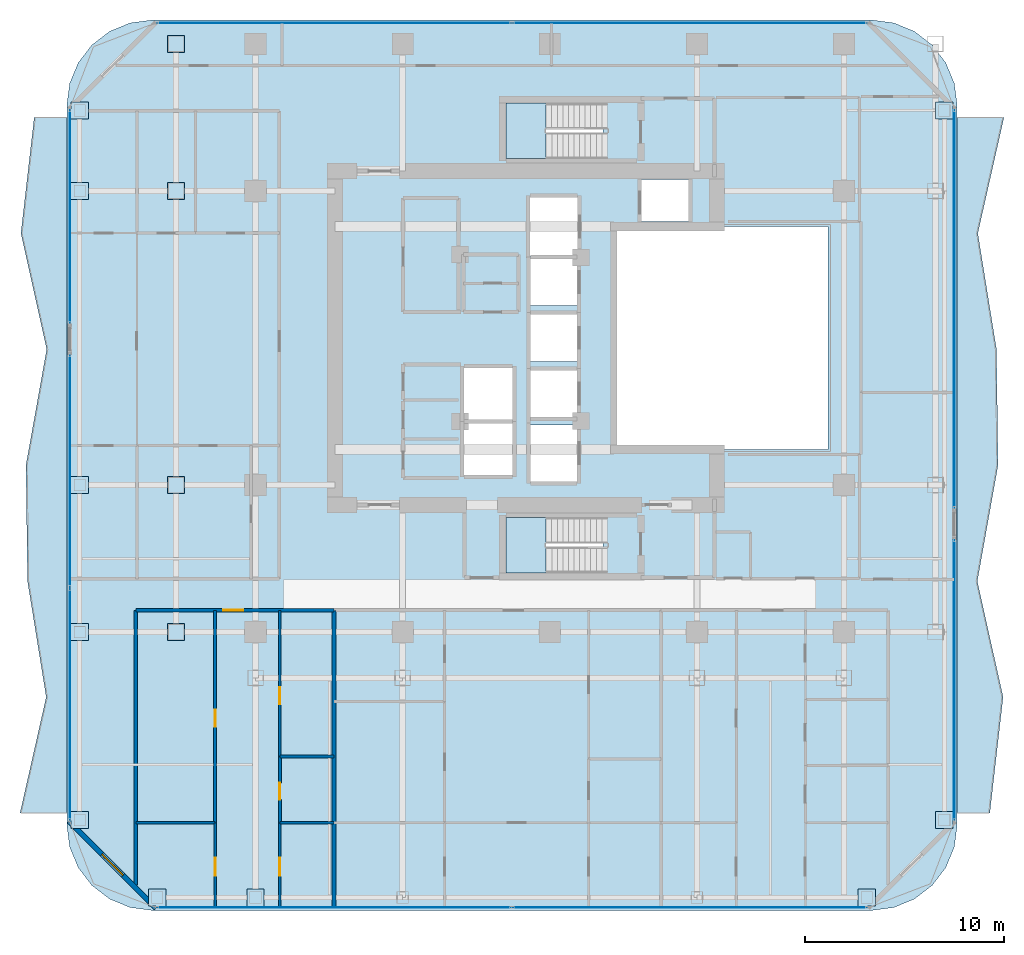
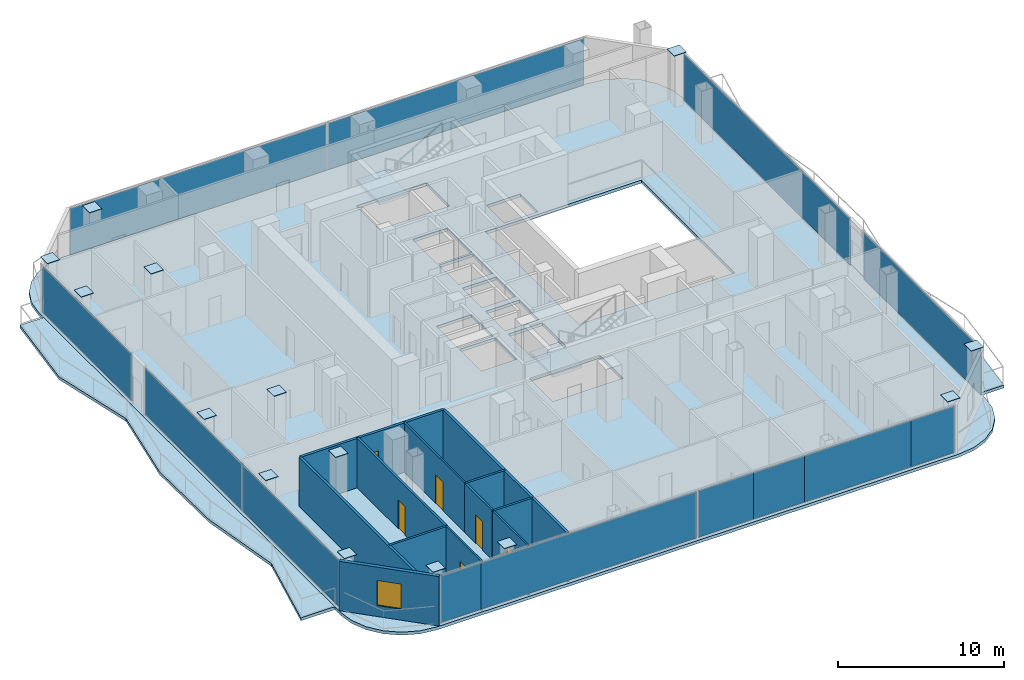
# One storey, part 16 of 24: 27 plates, 12 walls, 6 doors, 5 slabs, 1 window, 7 openings, 8 elements without a shape of their own.
"""IFC4 building model written with IfcOpenShell, lengths in metres."""

from ifc_helpers import new_model, si_unit, direction, frame, frame_2d, origin, origin_2d, place, context, subcontext, project, spatial, polyline, rectangle, outline, extrude, material, layer, layer_set, type_object, element, fill, aggregate, save


model = new_model("IFC4")

# Units and contexts
model_context = context("Model", 3, precision=1e-05, world=origin(), true_north=direction((0.0, 1.0)))
body_context = subcontext(model_context, "Body", "Model", "MODEL_VIEW")
ifc_project = project(units=[si_unit("LENGTHUNIT", "METRE"), si_unit("AREAUNIT", "SQUARE_METRE"), si_unit("VOLUMEUNIT", "CUBIC_METRE"), si_unit("PLANEANGLEUNIT", "RADIAN"), si_unit("MASSUNIT", "GRAM", prefix="KILO")], contexts=[model_context])

# Site, building, storey
site_placement = place(None, origin())
site = spatial("IfcSite", under=ifc_project, at=site_placement, CompositionType="ELEMENT")
building_placement = place(site_placement, origin())
building = spatial("IfcBuilding", under=site, at=building_placement, Name="Khorvyn Point Tower", CompositionType="ELEMENT")
storey_placement = place(building_placement, frame((0.0, 0.0, 215.699951171875)))
storey = spatial("IfcBuildingStorey", under=building, at=storey_placement, Name="L53", CompositionType="ELEMENT", Elevation=215.699951171875)

# Slabs
ifc_material_1 = material(Name="Concrete C35/45", Category="concrete")
ifc_layer_1 = layer(ifc_material_1, 0.219970703125)
ifc_layer_set_1 = layer_set([ifc_layer_1], Name="Concrete C35/45 Structural Floor Slab 220")
slab_type_1 = type_object("IfcSlabType", Name="Concrete C35/45 Structural Floor Slab 220", PredefinedType="FLOOR", material=ifc_layer_set_1)
slab_1_placement = place(storey_placement, frame((0.0, 0.0, -0.219970703125)))
element("IfcSlab", 1, at=slab_1_placement, inside=storey, type_object=slab_type_1, Name="L53 Main Structural Floor Slab", PredefinedType="FLOOR", context=body_context, shape_type="SweptSolid", body=[
    extrude(outline(polyline([(-20.0, -28.800048828125), (-21.11279296875, -28.653564453125), (-22.14990234375, -28.223876953125), (-23.04052734375, -27.54052734375), (-23.723876953125, -26.64990234375), (-24.153564453125, -25.61279296875), (-24.300048828125, -24.5), (-24.300048828125, 11.699951171875), (-24.153564453125, 12.81298828125), (-23.723876953125, 13.85009765625), (-23.04052734375, 14.740478515625), (-22.14990234375, 15.423828125), (-21.11279296875, 15.853515625), (-20.0, 16.0), (16.199951171875, 16.0), (17.31298828125, 15.853515625), (18.35009765625, 15.423828125), (19.240478515625, 14.740478515625), (19.923828125, 13.85009765625), (20.353515625, 12.81298828125), (20.5, 11.699951171875), (20.5, -24.5), (20.353515625, -25.61279296875), (19.923828125, -26.64990234375), (19.240478515625, -27.54052734375), (18.35009765625, -28.223876953125), (17.31298828125, -28.653564453125), (16.199951171875, -28.800048828125), (-20.0, -28.800048828125)]), holes=[polyline([(-1.875, -6.89990234375), (-1.875, -4.300048828125), (-4.324951171875, -4.300048828125), (-4.324951171875, -6.89990234375), (-1.875, -6.89990234375)]), polyline([(-1.875, -4.10009765625), (-1.875, -1.5), (-4.324951171875, -1.5), (-4.324951171875, -4.10009765625), (-1.875, -4.10009765625)]), polyline([(1.375, -3.97509765625), (1.375, -1.625), (-0.97509765625, -1.625), (-0.97509765625, -3.97509765625), (1.375, -3.97509765625)]), polyline([(-0.97509765625, -1.175048828125), (1.375, -1.175048828125), (1.375, 1.175048828125), (-0.97509765625, 1.175048828125), (-0.97509765625, -1.175048828125)]), polyline([(-0.97509765625, 1.625), (1.375, 1.625), (1.375, 3.97509765625), (-0.97509765625, 3.97509765625), (-0.97509765625, 1.625)]), polyline([(1.39990234375, 4.125), (1.39990234375, 7.074951171875), (-1.0, 7.074951171875), (-1.0, 4.125), (1.39990234375, 4.125)]), polyline([(-2.199951171875, -11.820068359375), (2.679931640625, -11.820068359375), (2.679931640625, -9.02001953125), (-2.199951171875, -9.02001953125), (-2.199951171875, -11.820068359375)]), polyline([(-0.97509765625, -7.22509765625), (1.375, -7.22509765625), (1.375, -4.375), (-0.97509765625, -4.375), (-0.97509765625, -7.22509765625)]), polyline([(14.0, -5.60009765625), (14.0, 5.60009765625), (3.199951171875, 5.60009765625), (3.199951171875, -5.60009765625), (14.0, -5.60009765625)]), polyline([(4.625, 5.85009765625), (6.97509765625, 5.85009765625), (6.97509765625, 7.97998046875), (4.625, 7.97998046875), (4.625, 5.85009765625)]), polyline([(-2.199951171875, 9.02001953125), (2.679931640625, 9.02001953125), (2.679931640625, 11.820068359375), (-2.199951171875, 11.820068359375), (-2.199951171875, 9.02001953125)])]), origin(), (0.0, 0.0, 1.0), 0.219970703125),
])
ifc_material_2 = material(Name="Concrete C40/50", Category="concrete")
ifc_layer_2 = layer(ifc_material_2, 0.2099609375)
ifc_layer_set_2 = layer_set([ifc_layer_2], Name="Concrete C40/50 Rippling Balcony Slab 210")
slab_type_2 = type_object("IfcSlabType", Name="Concrete C40/50 Rippling Balcony Slab 210", PredefinedType="USERDEFINED", material=ifc_layer_set_2)
slab_2_placement = place(storey_placement, frame((0.0, 0.0, -0.2099609375)))
element("IfcSlab", 2, at=slab_2_placement, inside=storey, type_object=slab_type_2, Name="L53 East Sinusoidal Rippling Balcony", ObjectType="BALCONY", PredefinedType="USERDEFINED", context=body_context, shape_type="SweptSolid", body=[
    extrude(outline(polyline([(20.5, -23.89990234375), (22.1416015625, -23.89990234375), (22.8095703125, -18.066650390625), (21.512451171875, -12.2333984375), (22.55517578125, -6.39990234375), (22.477294921875, -0.566650390625), (21.537353515625, 5.2666015625), (22.8544921875, 11.10009765625), (20.5, 11.10009765625), (20.5, -23.89990234375)])), origin(), (0.0, 0.0, 1.0), 0.2099609375),
])
slab_3_placement = place(storey_placement, frame((0.0, 0.0, -0.2099609375)))
element("IfcSlab", 3, at=slab_3_placement, inside=storey, type_object=slab_type_2, Name="L53 West Sinusoidal Rippling Balcony", ObjectType="BALCONY", PredefinedType="USERDEFINED", context=body_context, shape_type="SweptSolid", body=[
    extrude(outline(polyline([(-24.300048828125, 11.10009765625), (-25.941650390625, 11.10009765625), (-26.609619140625, 5.2666015625), (-25.3125, -0.566650390625), (-26.35498046875, -6.39990234375), (-26.27734375, -12.2333984375), (-25.33740234375, -18.066650390625), (-26.654541015625, -23.89990234375), (-24.300048828125, -23.89990234375), (-24.300048828125, 11.10009765625)])), origin(), (0.0, 0.0, 1.0), 0.2099609375),
])

# Stair, slab
stair_type = type_object("IfcStairType", Name="Tower Concrete C40/50 Dogleg Exit Stair", PredefinedType="HALF_TURN_STAIR", material=ifc_material_2)
stair_1_placement = place(storey_placement, origin())
stair_1 = element("IfcStair", 4, at=stair_1_placement, inside=storey, type_object=stair_type, Name="L53 Tower Smokeproof Exit Stair South", PredefinedType="HALF_TURN_STAIR")
ifc_layer_3 = layer(ifc_material_2, 0.199951171875)
ifc_layer_set_3 = layer_set([ifc_layer_3], Name="Concrete C40/50 Stair Landing Slab 200")
slab_type_3 = type_object("IfcSlabType", Name="Concrete C40/50 Stair Landing Slab 200", PredefinedType="LANDING", material=ifc_layer_set_3)
slab_4_placement = place(storey_placement, frame((0.0, 0.0, 1.75)))
slab_4 = element("IfcSlab", 5, at=slab_4_placement, type_object=slab_type_3, Name="ST-01 landing 1", PredefinedType="LANDING", context=body_context, shape_type="SweptSolid", body=[
    extrude(outline(polyline([(-0.179931640625, -9.02001953125), (-2.199951171875, -9.02001953125), (-2.199951171875, -11.820068359375), (-0.179931640625, -11.820068359375), (-0.179931640625, -9.02001953125)])), origin(), (0.0, 0.0, 1.0), 0.199951171875),
])
aggregate(stair_1, [slab_4])

stair_2_placement = place(storey_placement, origin())
stair_2 = element("IfcStair", 6, at=stair_2_placement, inside=storey, type_object=stair_type, Name="L53 Tower Smokeproof Exit Stair North", PredefinedType="HALF_TURN_STAIR")
slab_5_placement = place(storey_placement, frame((0.0, 0.0, 1.75)))
slab_5 = element("IfcSlab", 7, at=slab_5_placement, type_object=slab_type_3, Name="ST-02 landing 1", PredefinedType="LANDING", context=body_context, shape_type="SweptSolid", body=[
    extrude(outline(polyline([(-0.179931640625, 11.820068359375), (-2.199951171875, 11.820068359375), (-2.199951171875, 9.02001953125), (-0.179931640625, 9.02001953125), (-0.179931640625, 11.820068359375)])), origin(), (0.0, 0.0, 1.0), 0.199951171875),
])
aggregate(stair_2, [slab_5])

# Plates
ifc_material_3 = material(Name="Steel S450", Category="steel")
ifc_layer_4 = layer(ifc_material_3, 0.031982421875)
ifc_layer_set_4 = layer_set([ifc_layer_4], Name="Steel S450 Exoskeleton End Cap Plate 32")
plate_type_1 = type_object("IfcPlateType", Name="Steel S450 Exoskeleton End Cap Plate 32", PredefinedType="USERDEFINED", material=ifc_layer_set_4)
for number, where, z_axis, x_axis, name in (
    (8, (-18.800048828125, -14.800048828125, 3.89404296875), (0.0, 0.0, 1.0), (1.0, 0.0, 0.0), "Plate"),
    (9, (-18.800048828125, -7.39990234375, 3.89404296875), (0.0, 0.0, 1.0), (1.0, 0.0, 0.0), "Plate"),
    (10, (-18.800048828125, 7.39990234375, 3.89404296875), (0.0, 0.0, 1.0), (1.0, 0.0, 0.0), "Plate"),
    (11, (-18.800048828125, 14.800048828125, 3.89404296875), (0.0, 0.0, 1.0), (1.0, 0.0, 0.0), "Plate"),
    (12, (-19.75, -28.14990234375, 3.89404296875), (0.0, 0.0, 1.0), (1.0, 0.0, 0.0), "Plate"),
    (13, (15.949951171875, -28.14990234375, 3.89404296875), (0.0, 0.0, 1.0), (1.0, 0.0, 0.0), "Plate"),
    (14, (-23.64990234375, -24.25, 3.89404296875), (0.0, 0.0, 1.0), (1.0, 0.0, 0.0), "Plate"),
    (15, (-23.64990234375, 11.449951171875, 3.89404296875), (0.0, 0.0, 1.0), (1.0, 0.0, 0.0), "Plate"),
    (16, (19.85009765625, -24.25, 3.89404296875), (0.0, 0.0, 1.0), (1.0, 0.0, 0.0), "Plate"),
    (17, (19.85009765625, 11.449951171875, 3.89404296875), (0.0, 0.0, 1.0), (1.0, 0.0, 0.0), "Plate"),
    (18, (-14.800048828125, -28.14990234375, 3.89404296875), (0.0, 0.0, 1.0), (1.0, 0.0, 0.0), "Plate"),
    (19, (-23.64990234375, -14.800048828125, 3.89404296875), (0.0, 0.0, 1.0), (1.0, 0.0, 0.0), "Plate"),
    (20, (-23.64990234375, -7.39990234375, 3.89404296875), (0.0, 0.0, 1.0), (1.0, 0.0, 0.0), "Plate"),
    (21, (-23.64990234375, 7.39990234375, 3.89404296875), (0.0, 0.0, 1.0), (1.0, 0.0, 0.0), "Plate"),
):
    element("IfcPlate", number, at=place(storey_placement, frame(where, z_axis=z_axis, x_axis=x_axis)), inside=storey, type_object=plate_type_1, Name=name, ObjectType="GUSSET", PredefinedType="USERDEFINED", context=body_context, shape_type="SweptSolid", body=[
        extrude(rectangle(XDim=0.860107421875, YDim=0.860107421875, at=origin_2d()), origin(), (0.0, 0.0, 1.0), 0.031982421875),
    ])

# Curtain wall, plates
ifc_material_4 = material(Name="Anodised aluminium 6063-T6 and laminated Low-E glass", Category="aluminium")
ifc_layer_5 = layer(ifc_material_4, 0.18994140625)
ifc_layer_set_5 = layer_set([ifc_layer_5], Name="Stick-Built Acoustic Curtain Wall CW-SYS-03")
curtain_wall_type = type_object("IfcCurtainWallType", Name="Stick-Built Acoustic Curtain Wall CW-SYS-03", PredefinedType="NOTDEFINED", material=ifc_layer_set_5)
curtain_wall_1_placement = place(storey_placement, origin())
curtain_wall_1 = element("IfcCurtainWall", 22, at=curtain_wall_1_placement, inside=storey, type_object=curtain_wall_type, Name="Curtain Wall", PredefinedType="NOTDEFINED")
ifc_material_5 = material(Name="Laminated Low-E insulated glass", Category="glass")
ifc_layer_6 = layer(ifc_material_5, 0.028076171875)
ifc_layer_set_6 = layer_set([ifc_layer_6], Name="Tempered Low-E Vision Glazing Panel CW-GL28")
plate_type_2 = type_object("IfcPlateType", Name="Tempered Low-E Vision Glazing Panel CW-GL28", PredefinedType="CURTAIN_PANEL", material=ifc_layer_set_6)
plate_1_placement = place(storey_placement, frame((0.08251953125, -28.64990234375, 0.10009765625), z_axis=(0.0, 0.0, 1.0), x_axis=(-1.0, 0.0, 0.0)))
plate_1 = element("IfcPlate", 23, at=plate_1_placement, type_object=plate_type_2, Name="Panel", PredefinedType="CURTAIN_PANEL", context=body_context, shape_type="SweptSolid", body=[
    extrude(rectangle(XDim=3.85693359375, YDim=0.028076171875, at=origin_2d()), origin(), (0.0, 0.0, 1.0), 3.419921875),
])
plate_2_placement = place(storey_placement, frame((3.777099609375, -28.64990234375, 0.10009765625), z_axis=(0.0, 0.0, 1.0), x_axis=(-1.0, 0.0, 0.0)))
plate_2 = element("IfcPlate", 24, at=plate_2_placement, type_object=plate_type_2, Name="Panel", PredefinedType="CURTAIN_PANEL", context=body_context, shape_type="SweptSolid", body=[
    extrude(rectangle(XDim=3.51611328125, YDim=0.028076171875, at=origin_2d()), origin(), (0.0, 0.0, 1.0), 3.419921875),
])
plate_3_placement = place(storey_placement, frame((9.232421875, -28.64990234375, 0.10009765625), z_axis=(0.0, 0.0, 1.0), x_axis=(-1.0, 0.0, 0.0)))
plate_3 = element("IfcPlate", 25, at=plate_3_placement, type_object=plate_type_2, Name="Panel", PredefinedType="CURTAIN_PANEL", context=body_context, shape_type="SweptSolid", body=[
    extrude(rectangle(XDim=7.37890625, YDim=0.028076171875, at=origin_2d()), origin(), (0.0, 0.0, 1.0), 3.419921875),
])
plate_4_placement = place(storey_placement, frame((14.43798828125, -28.64990234375, 0.10009765625), z_axis=(0.0, 0.0, 1.0), x_axis=(-1.0, 0.0, 0.0)))
plate_4 = element("IfcPlate", 26, at=plate_4_placement, type_object=plate_type_2, Name="Panel", PredefinedType="CURTAIN_PANEL", context=body_context, shape_type="SweptSolid", body=[
    extrude(rectangle(XDim=3.01611328125, YDim=0.028076171875, at=origin_2d()), origin(), (0.0, 0.0, 1.0), 3.419921875),
])
plate_5_placement = place(storey_placement, frame((-18.322021484375, -28.64990234375, 0.10009765625), z_axis=(0.0, 0.0, 1.0), x_axis=(-1.0, 0.0, 0.0)))
plate_5 = element("IfcPlate", 27, at=plate_5_placement, type_object=plate_type_2, Name="Panel", PredefinedType="CURTAIN_PANEL", context=body_context, shape_type="SweptSolid", body=[
    extrude(rectangle(XDim=2.847900390625, YDim=0.028076171875, at=origin_2d()), origin(), (0.0, 0.0, 1.0), 3.419921875),
])
plate_6_placement = place(storey_placement, frame((-9.422119140625, -28.64990234375, 0.10009765625), z_axis=(0.0, 0.0, 1.0), x_axis=(-1.0, 0.0, 0.0)))
plate_6 = element("IfcPlate", 28, at=plate_6_placement, type_object=plate_type_2, Name="Panel", PredefinedType="CURTAIN_PANEL", context=body_context, shape_type="SweptSolid", body=[
    extrude(rectangle(XDim=14.93603515625, YDim=0.028076171875, at=origin_2d()), origin(), (0.0, 0.0, 1.0), 3.419921875),
])
aggregate(curtain_wall_1, [plate_1, plate_2, plate_3, plate_4, plate_5, plate_6])

curtain_wall_2_placement = place(storey_placement, origin())
curtain_wall_2 = element("IfcCurtainWall", 29, at=curtain_wall_2_placement, inside=storey, type_object=curtain_wall_type, Name="Curtain Wall", PredefinedType="NOTDEFINED")
plate_7_placement = place(storey_placement, frame((-10.85009765625, 15.85009765625, 0.10009765625), z_axis=(0.0, 0.0, 1.0), x_axis=(1.0, 0.0, 0.0)))
plate_7 = element("IfcPlate", 30, at=plate_7_placement, type_object=plate_type_2, Name="Panel", PredefinedType="CURTAIN_PANEL", context=body_context, shape_type="SweptSolid", body=[
    extrude(rectangle(XDim=17.800048828125, YDim=0.028076171875, at=origin_2d()), origin(), (0.0, 0.0, 1.0), 3.419921875),
])
plate_8_placement = place(storey_placement, frame((7.050048828125, 15.85009765625, 0.10009765625), z_axis=(0.0, 0.0, 1.0), x_axis=(1.0, 0.0, 0.0)))
plate_8 = element("IfcPlate", 31, at=plate_8_placement, type_object=plate_type_2, Name="Panel", PredefinedType="CURTAIN_PANEL", context=body_context, shape_type="SweptSolid", body=[
    extrude(rectangle(XDim=17.800048828125, YDim=0.028076171875, at=origin_2d()), origin(), (0.0, 0.0, 1.0), 3.419921875),
])
aggregate(curtain_wall_2, [plate_7, plate_8])

curtain_wall_3_placement = place(storey_placement, origin())
curtain_wall_3 = element("IfcCurtainWall", 32, at=curtain_wall_3_placement, inside=storey, type_object=curtain_wall_type, Name="Curtain Wall", PredefinedType="NOTDEFINED")
plate_9_placement = place(storey_placement, frame((-24.14990234375, -18.433349609375, 0.10009765625), z_axis=(0.0, 0.0, 1.0), x_axis=(0.0, 1.0, 0.0)))
plate_9 = element("IfcPlate", 33, at=plate_9_placement, type_object=plate_type_2, Name="Panel", PredefinedType="CURTAIN_PANEL", context=body_context, shape_type="SweptSolid", body=[
    extrude(rectangle(XDim=11.633544921875, YDim=0.028076171875, at=origin_2d()), origin(), (0.0, 0.0, 1.0), 3.419921875),
])
plate_10_placement = place(storey_placement, frame((-24.14990234375, -6.69970703125, 0.10009765625), z_axis=(0.0, 0.0, 1.0), x_axis=(0.0, 1.0, 0.0)))
plate_10 = element("IfcPlate", 34, at=plate_10_placement, type_object=plate_type_2, Name="Panel", PredefinedType="CURTAIN_PANEL", context=body_context, shape_type="SweptSolid", body=[
    extrude(rectangle(XDim=11.633544921875, YDim=0.028076171875, at=origin_2d()), origin(), (0.0, 0.0, 1.0), 3.419921875),
])
aggregate(curtain_wall_3, [plate_9, plate_10])

# Curtain wall, plate
curtain_wall_4_placement = place(storey_placement, origin())
curtain_wall_4 = element("IfcCurtainWall", 35, at=curtain_wall_4_placement, inside=storey, type_object=curtain_wall_type, Name="Curtain Wall", PredefinedType="NOTDEFINED")
plate_11_placement = place(storey_placement, frame((-24.14990234375, 6.103515625, 0.10009765625), z_axis=(0.0, 0.0, 1.0), x_axis=(0.0, 1.0, 0.0)))
plate_11 = element("IfcPlate", 36, at=plate_11_placement, type_object=plate_type_2, Name="Panel", PredefinedType="CURTAIN_PANEL", context=body_context, shape_type="SweptSolid", body=[
    extrude(rectangle(XDim=10.693115234375, YDim=0.028076171875, at=origin_2d()), origin(), (0.0, 0.0, 1.0), 3.419921875),
])
aggregate(curtain_wall_4, [plate_11])

curtain_wall_5_placement = place(storey_placement, origin())
curtain_wall_5 = element("IfcCurtainWall", 37, at=curtain_wall_5_placement, inside=storey, type_object=curtain_wall_type, Name="Curtain Wall", PredefinedType="NOTDEFINED")
plate_12_placement = place(storey_placement, frame((20.35009765625, 1.451416015625, 0.10009765625), z_axis=(0.0, 0.0, 1.0), x_axis=(0.0, -1.0, 0.0)))
plate_12 = element("IfcPlate", 38, at=plate_12_placement, type_object=plate_type_2, Name="Panel", PredefinedType="CURTAIN_PANEL", context=body_context, shape_type="SweptSolid", body=[
    extrude(rectangle(XDim=19.9970703125, YDim=0.028076171875, at=origin_2d()), origin(), (0.0, 0.0, 1.0), 3.419921875),
])
aggregate(curtain_wall_5, [plate_12])

curtain_wall_6_placement = place(storey_placement, origin())
curtain_wall_6 = element("IfcCurtainWall", 39, at=curtain_wall_6_placement, inside=storey, type_object=curtain_wall_type, Name="Curtain Wall", PredefinedType="NOTDEFINED")
plate_13_placement = place(storey_placement, frame((20.35009765625, -17.218505859375, 0.10009765625), z_axis=(0.0, 0.0, 1.0), x_axis=(0.0, -1.0, 0.0)))
plate_13 = element("IfcPlate", 40, at=plate_13_placement, type_object=plate_type_2, Name="Panel", PredefinedType="CURTAIN_PANEL", context=body_context, shape_type="SweptSolid", body=[
    extrude(rectangle(XDim=14.06298828125, YDim=0.028076171875, at=origin_2d()), origin(), (0.0, 0.0, 1.0), 3.419921875),
])
aggregate(curtain_wall_6, [plate_13])

# Wall, opening, door
ifc_material_6 = material(Name="Double acoustic gypsum on twin steel stud", Category="steel")
ifc_layer_7 = layer(ifc_material_6, 0.179931640625)
ifc_layer_set_7 = layer_set([ifc_layer_7], Name="Acoustic Double-Stud Apartment Demising Wall 180")
wall_type_1 = type_object("IfcWallType", Name="Acoustic Double-Stud Apartment Demising Wall 180", PredefinedType="PARTITIONING", material=ifc_layer_set_7)
wall_1_placement = place(storey_placement, frame((-20.820068359375, -13.699951171875, 0.0), z_axis=(0.0, 0.0, 1.0), x_axis=(1.0, 0.0, 0.0)))
wall_1 = element("IfcWall", 41, at=wall_1_placement, inside=storey, type_object=wall_type_1, Name="Wall", PredefinedType="PARTITIONING", context=body_context, shape_type="SweptSolid", body=[
    extrude(rectangle(XDim=9.965087890625, YDim=0.179931640625, at=frame_2d((4.982421875, 0.0))), origin(), (0.0, 0.0, 1.0), 3.6201171875),
])
opening_1_placement = place(wall_1_placement, frame((4.394287109375, 0.0, 0.0)))
opening_1 = element("IfcOpeningElement", 42, at=opening_1_placement, cuts=wall_1, Name="Opening ID-AP60", PredefinedType="OPENING", context=body_context, shape_type="SweptSolid", body=[
    extrude(rectangle(XDim=1.0, YDim=2.199951171875, at=frame_2d((0.5, 1.10009765625))), frame((0.0, 0.099853515625, 0.0), z_axis=(0.0, -1.0, 0.0), x_axis=(1.0, 0.0, 0.0)), (0.0, 0.0, 1.0), 0.199951171875),
])
ifc_material_7 = material(Name="Engineered hardwood fire-rated leaf", Category="wood")
door_type_1 = type_object("IfcDoorType", Name="Acoustic Solid-Core Timber Apartment Entrance Door 1000x2200", OperationType="NOTDEFINED", PredefinedType="DOOR", material=ifc_material_7)
door_1_placement = place(opening_1_placement, origin())
door_1 = element("IfcDoor", 43, at=door_1_placement, inside=storey, type_object=door_type_1, Name="Door", OperationType="SINGLE_SWING_LEFT", OverallHeight=2.199951171875, OverallWidth=1.0, PredefinedType="DOOR", context=body_context, shape_type="SweptSolid", body=[
    extrude(rectangle(XDim=1.0, YDim=2.199951171875, at=frame_2d((0.5, 1.10009765625))), frame((0.0, 0.02490234375, 0.0), z_axis=(0.0, -1.0, 0.0), x_axis=(1.0, 0.0, 0.0)), (0.0, 0.0, 1.0), 0.050048828125),
])
fill(opening_1, door_1)

# Walls
wall_2_placement = place(storey_placement, frame((-10.85498046875, -28.6298828125, 0.0), z_axis=(0.0, 0.0, 1.0), x_axis=(0.0, 1.0, 0.0)))
element("IfcWall", 44, at=wall_2_placement, inside=storey, type_object=wall_type_1, Name="Wall", PredefinedType="PARTITIONING", context=body_context, shape_type="SweptSolid", body=[
    extrude(rectangle(XDim=14.929931640625, YDim=0.179931640625, at=frame_2d((7.46484375, 0.0))), origin(), (0.0, 0.0, 1.0), 3.6201171875),
])
wall_3_placement = place(storey_placement, frame((-20.820068359375, -27.510009765625, 0.0), z_axis=(0.0, 0.0, 1.0), x_axis=(0.0, 1.0, 0.0)))
element("IfcWall", 45, at=wall_3_placement, inside=storey, type_object=wall_type_1, Name="Wall", PredefinedType="PARTITIONING", context=body_context, shape_type="SweptSolid", body=[
    extrude(rectangle(XDim=13.81005859375, YDim=0.179931640625, at=frame_2d((6.905029296875, 0.0))), origin(), (0.0, 0.0, 1.0), 3.6201171875),
])

# Wall, opening, window
ifc_material_8 = material(Name="Pale anodised aluminium rainscreen on steel stud", Category="steel")
ifc_layer_8 = layer(ifc_material_8, 0.239990234375)
ifc_layer_set_8 = layer_set([ifc_layer_8], Name="Anodised Aluminium Insulated Corner Spandrel Wall 240")
wall_type_2 = type_object("IfcWallType", Name="Anodised Aluminium Insulated Corner Spandrel Wall 240", PredefinedType="SOLIDWALL", material=ifc_layer_set_8)
wall_4_placement = place(storey_placement, frame((-19.8076171875, -28.6923828125, 0.0), z_axis=(0.0, 0.0, 1.0), x_axis=(-0.707106781187, 0.707106781187, 0.0)))
wall_4 = element("IfcWall", 46, at=wall_4_placement, inside=storey, type_object=wall_type_2, Name="L53 Rounded Corner Wall SW", PredefinedType="SOLIDWALL", context=body_context, shape_type="SweptSolid", body=[
    extrude(rectangle(XDim=6.200927734375, YDim=0.239990234375, at=frame_2d((3.1005859375, 0.0))), origin(), (0.0, 0.0, 1.0), 3.6201171875),
])
opening_2_placement = place(wall_4_placement, frame((2.3505859375, 0.0, 0.800048828125)))
opening_2 = element("IfcOpeningElement", 47, at=opening_2_placement, cuts=wall_4, Name="Opening WN-1518", PredefinedType="OPENING", context=body_context, shape_type="SweptSolid", body=[
    extrude(rectangle(XDim=1.5, YDim=1.85009765625, at=frame_2d((0.75, 0.925048828125))), frame((0.0, 0.1298828125, 0.0), z_axis=(0.0, -1.0, 0.0), x_axis=(1.0, 0.0, 0.0)), (0.0, 0.0, 1.0), 0.260009765625),
])
window_type = type_object("IfcWindowType", Name="Anodised Aluminium Rounded-Corner Panoramic Window 1500x1850", PartitioningType="SINGLE_PANEL", PredefinedType="WINDOW", material=ifc_material_4)
window_placement = place(opening_2_placement, origin())
window = element("IfcWindow", 48, at=window_placement, inside=storey, type_object=window_type, Name="L53 Corner Panoramic Window SW", OverallHeight=1.85009765625, OverallWidth=1.5, PartitioningType="SINGLE_PANEL", PredefinedType="WINDOW", context=body_context, shape_type="SweptSolid", body=[
    extrude(rectangle(XDim=1.5, YDim=1.85009765625, at=frame_2d((0.75, 0.925048828125))), frame((0.0, 0.030029296875, 0.0), z_axis=(0.0, -1.0, 0.0), x_axis=(1.0, 0.0, 0.0)), (0.0, 0.0, 1.0), 0.06005859375),
])
fill(opening_2, window)

# Wall, opening, door
ifc_material_9 = material(Name="Gypsum plasterboard on steel stud", Category="steel")
ifc_layer_9 = layer(ifc_material_9, 0.1201171875)
ifc_layer_set_9 = layer_set([ifc_layer_9], Name="Gypsum Acoustic Stud Room Partition Wall 120")
wall_type_3 = type_object("IfcWallType", Name="Gypsum Acoustic Stud Room Partition Wall 120", PredefinedType="PARTITIONING", material=ifc_layer_set_9)
wall_5_placement = place(storey_placement, frame((-16.833984375, -28.6298828125, 0.0), z_axis=(0.0, 0.0, 1.0), x_axis=(0.0, 1.0, 0.0)))
wall_5 = element("IfcWall", 49, at=wall_5_placement, inside=storey, type_object=wall_type_3, Name="Wall", PredefinedType="PARTITIONING", context=body_context, shape_type="SweptSolid", body=[
    extrude(rectangle(XDim=4.239990234375, YDim=0.1201171875, at=frame_2d((2.1201171875, 0.0))), origin(), (0.0, 0.0, 1.0), 3.6201171875),
])
opening_3_placement = place(wall_5_placement, frame((1.581298828125, 0.0, 0.0)))
opening_3 = element("IfcOpeningElement", 50, at=opening_3_placement, cuts=wall_5, Name="Opening ID-RM90", PredefinedType="OPENING", context=body_context, shape_type="SweptSolid", body=[
    extrude(rectangle(XDim=0.89990234375, YDim=2.10009765625, at=frame_2d((0.449951171875, 1.050048828125))), frame((0.0, 0.070068359375, 0.0), z_axis=(0.0, -1.0, 0.0), x_axis=(1.0, 0.0, 0.0)), (0.0, 0.0, 1.0), 0.14013671875),
])
ifc_material_10 = material(Name="Engineered oak veneer timber", Category="wood")
door_type_2 = type_object("IfcDoorType", Name="Flush Engineered Timber Room Door 900x2100", OperationType="NOTDEFINED", PredefinedType="DOOR", material=ifc_material_10)
door_2_placement = place(opening_3_placement, origin())
door_2 = element("IfcDoor", 51, at=door_2_placement, inside=storey, type_object=door_type_2, Name="Door", OperationType="SINGLE_SWING_LEFT", OverallHeight=2.10009765625, OverallWidth=0.89990234375, PredefinedType="DOOR", context=body_context, shape_type="SweptSolid", body=[
    extrude(rectangle(XDim=0.89990234375, YDim=2.10009765625, at=frame_2d((0.449951171875, 1.050048828125))), frame((0.0, 0.02490234375, 0.0), z_axis=(0.0, -1.0, 0.0), x_axis=(1.0, 0.0, 0.0)), (0.0, 0.0, 1.0), 0.050048828125),
])
fill(opening_3, door_2)

wall_6_placement = place(storey_placement, frame((-13.583984375, -21.054931640625, 0.0), z_axis=(0.0, 0.0, 1.0), x_axis=(0.0, 1.0, 0.0)))
wall_6 = element("IfcWall", 52, at=wall_6_placement, inside=storey, type_object=wall_type_3, Name="Wall", PredefinedType="PARTITIONING", context=body_context, shape_type="SweptSolid", body=[
    extrude(rectangle(XDim=7.35498046875, YDim=0.1201171875, at=frame_2d((3.677490234375, 0.0))), origin(), (0.0, 0.0, 1.0), 3.6201171875),
])
opening_4_placement = place(wall_6_placement, frame((2.634033203125, 0.0, 0.0)))
opening_4 = element("IfcOpeningElement", 53, at=opening_4_placement, cuts=wall_6, Name="Opening ID-WC85", PredefinedType="OPENING", context=body_context, shape_type="SweptSolid", body=[
    extrude(rectangle(XDim=0.85009765625, YDim=2.10009765625, at=frame_2d((0.425048828125, 1.050048828125))), frame((0.0, 0.070068359375, 0.0), z_axis=(0.0, -1.0, 0.0), x_axis=(1.0, 0.0, 0.0)), (0.0, 0.0, 1.0), 0.14013671875),
])
ifc_material_11 = material(Name="High-pressure laminate on moisture-resistant core", Category="wood")
door_type_3 = type_object("IfcDoorType", Name="Moisture-Resistant Accessible Washroom Door 850x2100", OperationType="NOTDEFINED", PredefinedType="DOOR", material=ifc_material_11)
door_3_placement = place(opening_4_placement, origin())
door_3 = element("IfcDoor", 54, at=door_3_placement, inside=storey, type_object=door_type_3, Name="Door", OperationType="SINGLE_SWING_LEFT", OverallHeight=2.10009765625, OverallWidth=0.85009765625, PredefinedType="DOOR", context=body_context, shape_type="SweptSolid", body=[
    extrude(rectangle(XDim=0.85009765625, YDim=2.10009765625, at=frame_2d((0.425048828125, 1.050048828125))), frame((0.0, 0.02490234375, 0.0), z_axis=(0.0, -1.0, 0.0), x_axis=(1.0, 0.0, 0.0)), (0.0, 0.0, 1.0), 0.050048828125),
])
fill(opening_4, door_3)

wall_7_placement = place(storey_placement, frame((-13.583984375, -28.6298828125, 0.0), z_axis=(0.0, 0.0, 1.0), x_axis=(0.0, 1.0, 0.0)))
wall_7 = element("IfcWall", 55, at=wall_7_placement, inside=storey, type_object=wall_type_3, Name="Wall", PredefinedType="PARTITIONING", context=body_context, shape_type="SweptSolid", body=[
    extrude(rectangle(XDim=4.239990234375, YDim=0.1201171875, at=frame_2d((2.1201171875, 0.0))), origin(), (0.0, 0.0, 1.0), 3.6201171875),
])
opening_5_placement = place(wall_7_placement, frame((1.581298828125, 0.0, 0.0)))
opening_5 = element("IfcOpeningElement", 56, at=opening_5_placement, cuts=wall_7, Name="Opening ID-RM90", PredefinedType="OPENING", context=body_context, shape_type="SweptSolid", body=[
    extrude(rectangle(XDim=0.89990234375, YDim=2.10009765625, at=frame_2d((0.449951171875, 1.050048828125))), frame((0.0, 0.070068359375, 0.0), z_axis=(0.0, -1.0, 0.0), x_axis=(1.0, 0.0, 0.0)), (0.0, 0.0, 1.0), 0.14013671875),
])
door_4_placement = place(opening_5_placement, origin())
door_4 = element("IfcDoor", 57, at=door_4_placement, inside=storey, type_object=door_type_2, Name="Door", OperationType="SINGLE_SWING_RIGHT", OverallHeight=2.10009765625, OverallWidth=0.89990234375, PredefinedType="DOOR", context=body_context, shape_type="SweptSolid", body=[
    extrude(rectangle(XDim=0.89990234375, YDim=2.10009765625, at=frame_2d((0.449951171875, 1.050048828125))), frame((0.0, 0.02490234375, 0.0), z_axis=(0.0, -1.0, 0.0), x_axis=(1.0, 0.0, 0.0)), (0.0, 0.0, 1.0), 0.050048828125),
])
fill(opening_5, door_4)

ifc_material_12 = material(Name="Moisture-resistant gypsum and cement board", Category="gypsum")
ifc_layer_10 = layer(ifc_material_12, 0.14990234375)
ifc_layer_set_10 = layer_set([ifc_layer_10], Name="Moisture-Resistant Wet-Room Partition Wall 150")
wall_type_4 = type_object("IfcWallType", Name="Moisture-Resistant Wet-Room Partition Wall 150", PredefinedType="PARTITIONING", material=ifc_layer_set_10)
wall_8_placement = place(storey_placement, frame((-16.833984375, -24.389892578125, 0.0), z_axis=(0.0, 0.0, 1.0), x_axis=(0.0, 1.0, 0.0)))
wall_8 = element("IfcWall", 58, at=wall_8_placement, inside=storey, type_object=wall_type_4, Name="Wall", PredefinedType="PARTITIONING", context=body_context, shape_type="SweptSolid", body=[
    extrude(rectangle(XDim=10.68994140625, YDim=0.14990234375, at=frame_2d((5.344970703125, 0.0))), origin(), (0.0, 0.0, 1.0), 3.6201171875),
])
opening_6_placement = place(wall_8_placement, frame((4.830078125, 0.0, 0.0)))
opening_6 = element("IfcOpeningElement", 59, at=opening_6_placement, cuts=wall_8, Name="Opening ID-WC85", PredefinedType="OPENING", context=body_context, shape_type="SweptSolid", body=[
    extrude(rectangle(XDim=0.85009765625, YDim=2.10009765625, at=frame_2d((0.425048828125, 1.050048828125))), frame((0.0, 0.0849609375, 0.0), z_axis=(0.0, -1.0, 0.0), x_axis=(1.0, 0.0, 0.0)), (0.0, 0.0, 1.0), 0.169921875),
])
door_5_placement = place(opening_6_placement, origin())
door_5 = element("IfcDoor", 60, at=door_5_placement, inside=storey, type_object=door_type_3, Name="Door", OperationType="SINGLE_SWING_RIGHT", OverallHeight=2.10009765625, OverallWidth=0.85009765625, PredefinedType="DOOR", context=body_context, shape_type="SweptSolid", body=[
    extrude(rectangle(XDim=0.85009765625, YDim=2.10009765625, at=frame_2d((0.425048828125, 1.050048828125))), frame((0.0, 0.02490234375, 0.0), z_axis=(0.0, -1.0, 0.0), x_axis=(1.0, 0.0, 0.0)), (0.0, 0.0, 1.0), 0.050048828125),
])
fill(opening_6, door_5)

wall_9_placement = place(storey_placement, frame((-13.583984375, -24.389892578125, 0.0), z_axis=(0.0, 0.0, 1.0), x_axis=(0.0, 1.0, 0.0)))
wall_9 = element("IfcWall", 61, at=wall_9_placement, inside=storey, type_object=wall_type_4, Name="Wall", PredefinedType="PARTITIONING", context=body_context, shape_type="SweptSolid", body=[
    extrude(rectangle(XDim=3.3349609375, YDim=0.14990234375, at=frame_2d((1.66748046875, 0.0))), origin(), (0.0, 0.0, 1.0), 3.6201171875),
])
opening_7_placement = place(wall_9_placement, frame((1.1591796875, 0.0, 0.0)))
opening_7 = element("IfcOpeningElement", 62, at=opening_7_placement, cuts=wall_9, Name="Opening ID-WC85", PredefinedType="OPENING", context=body_context, shape_type="SweptSolid", body=[
    extrude(rectangle(XDim=0.85009765625, YDim=2.10009765625, at=frame_2d((0.425048828125, 1.050048828125))), frame((0.0, 0.0849609375, 0.0), z_axis=(0.0, -1.0, 0.0), x_axis=(1.0, 0.0, 0.0)), (0.0, 0.0, 1.0), 0.169921875),
])
door_6_placement = place(opening_7_placement, origin())
door_6 = element("IfcDoor", 63, at=door_6_placement, inside=storey, type_object=door_type_3, Name="Door", OperationType="SINGLE_SWING_RIGHT", OverallHeight=2.10009765625, OverallWidth=0.85009765625, PredefinedType="DOOR", context=body_context, shape_type="SweptSolid", body=[
    extrude(rectangle(XDim=0.85009765625, YDim=2.10009765625, at=frame_2d((0.425048828125, 1.050048828125))), frame((0.0, 0.02490234375, 0.0), z_axis=(0.0, -1.0, 0.0), x_axis=(1.0, 0.0, 0.0)), (0.0, 0.0, 1.0), 0.050048828125),
])
fill(opening_7, door_6)

# Walls
wall_10_placement = place(storey_placement, frame((-20.820068359375, -24.389892578125, 0.0), z_axis=(0.0, 0.0, 1.0), x_axis=(1.0, 0.0, 0.0)))
element("IfcWall", 64, at=wall_10_placement, inside=storey, type_object=wall_type_4, Name="Wall", PredefinedType="PARTITIONING", context=body_context, shape_type="SweptSolid", body=[
    extrude(rectangle(XDim=3.986083984375, YDim=0.14990234375, at=frame_2d((1.9931640625, 0.0))), origin(), (0.0, 0.0, 1.0), 3.6201171875),
])
for number, where, z_axis, x_axis, name in (
    (65, (-13.583984375, -21.054931640625, 0.0), (0.0, 0.0, 1.0), (1.0, 0.0, 0.0), "Wall"),
    (66, (-13.583984375, -24.389892578125, 0.0), (0.0, 0.0, 1.0), (1.0, 0.0, 0.0), "Wall"),
):
    element("IfcWall", number, at=place(storey_placement, frame(where, z_axis=z_axis, x_axis=x_axis)), inside=storey, type_object=wall_type_4, Name=name, PredefinedType="PARTITIONING", context=body_context, shape_type="SweptSolid", body=[
        extrude(rectangle(XDim=2.72900390625, YDim=0.14990234375, at=frame_2d((1.364501953125, 0.0))), origin(), (0.0, 0.0, 1.0), 3.6201171875),
    ])

save(model, "model.ifc")
